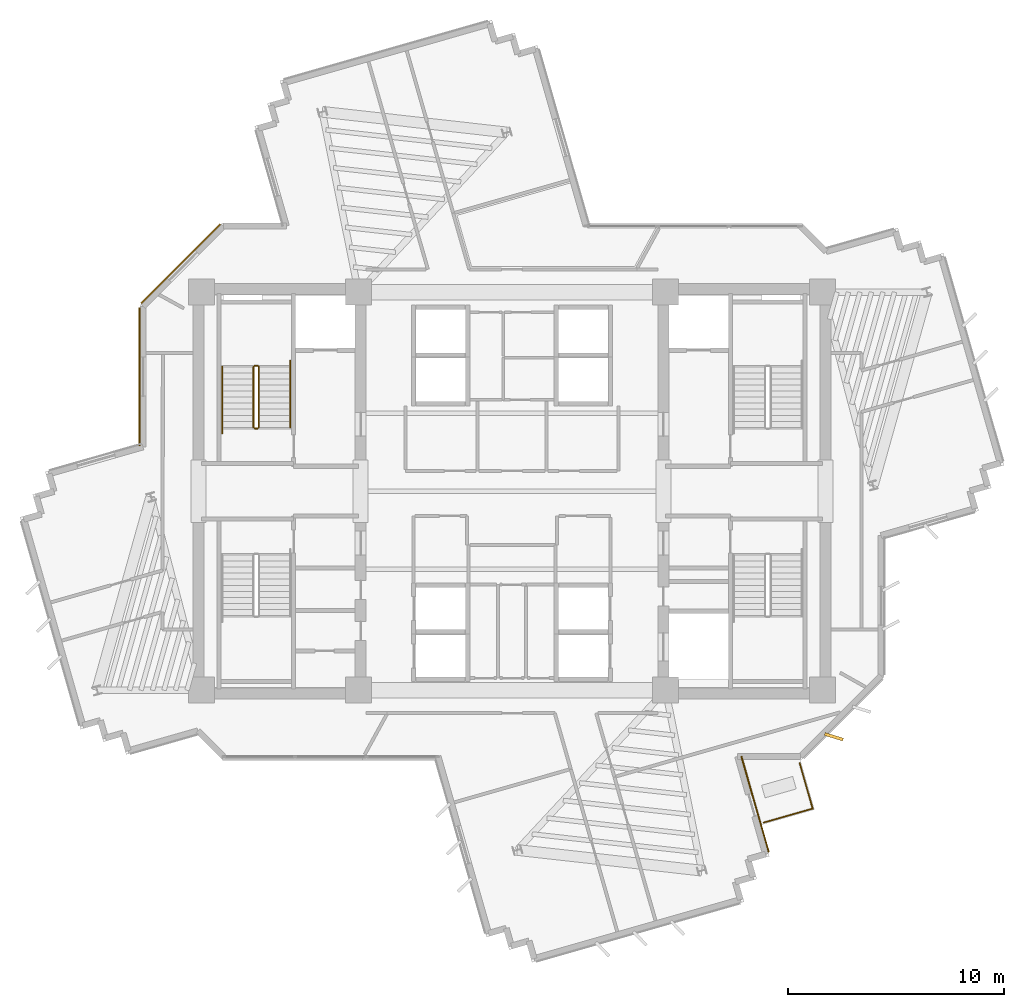
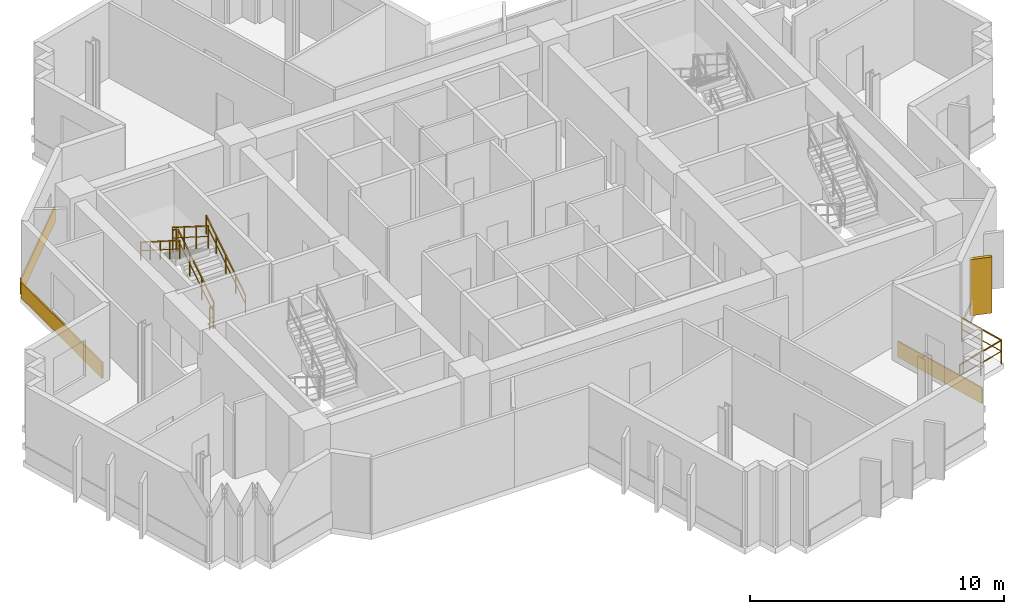
# One storey, part 12 of 14: 8 railings, 4 coverings.
"""IFC4 building model written with IfcOpenShell, lengths in metres."""

from ifc_helpers import new_model, si_unit, direction, frame, origin, origin_2d, place, context, subcontext, project, spatial, rectangle, extrude, source, transform, mapped, material, layer, layer_set, type_object, element, save


model = new_model("IFC4")

# Units and contexts
model_context = context("Model", 3, precision=1e-05, world=origin(), true_north=direction((0.0, 1.0)))
body_context = subcontext(model_context, "Body", "Model", "MODEL_VIEW")
ifc_project = project(units=[si_unit("LENGTHUNIT", "METRE"), si_unit("AREAUNIT", "SQUARE_METRE"), si_unit("VOLUMEUNIT", "CUBIC_METRE"), si_unit("PLANEANGLEUNIT", "RADIAN"), si_unit("MASSUNIT", "GRAM", prefix="KILO")], contexts=[model_context])

# Site, building, storey
site_placement = place(None, origin())
site = spatial("IfcSite", under=ifc_project, at=site_placement, CompositionType="ELEMENT")
building_placement = place(site_placement, origin())
building = spatial("IfcBuilding", under=site, at=building_placement, Name="Zahravan Cultural Tower", CompositionType="ELEMENT")
storey_placement = place(building_placement, frame((0.0, 0.0, 205.800048828125)))
storey = spatial("IfcBuildingStorey", under=building, at=storey_placement, Name="L48", CompositionType="ELEMENT", Elevation=205.800048828125)

# Railings
ifc_material_1 = material(Name="Steel ASTM A572 Grade 50", Category="steel")
railing_type_1 = type_object("IfcRailingType", Name="RL-BAL-1150", PredefinedType="BALUSTRADE", material=ifc_material_1)
railing_1_placement = place(storey_placement, frame((49.900634765625, 12.32666015625, 0.0)))
element("IfcRailing", 1, at=railing_1_placement, inside=storey, type_object=railing_type_1, Name="L48 Edge Balustrade GRD-TR-L48-SE-01", PredefinedType="BALUSTRADE", context=body_context, shape_type="SweptSolid", body=[
    extrude(rectangle(XDim=0.05, YDim=0.05, at=origin_2d()), frame((0.0, 0.0, 1.125), z_axis=(-0.9614494292, -0.274981808654, 0.0), x_axis=(0.274981808654, -0.9614494292, 0.0)), (0.0, 0.0, 1.0), 2.35009765625),
    extrude(rectangle(XDim=0.032, YDim=0.032, at=origin_2d()), frame((0.0, 0.0, 0.597900390625), z_axis=(-0.9614494292, -0.274981808654, 0.0), x_axis=(0.274981808654, -0.9614494292, 0.0)), (0.0, 0.0, 1.0), 2.35009765625),
    extrude(rectangle(XDim=0.04, YDim=0.04, at=origin_2d()), origin(), (0.0, 0.0, 1.0), 1.14990234375),
    extrude(rectangle(XDim=0.04, YDim=0.04, at=origin_2d()), frame((-1.1298828125, -0.3232421875, 0.0)), (0.0, 0.0, 1.0), 1.14990234375),
    extrude(rectangle(XDim=0.04, YDim=0.04, at=origin_2d()), frame((-2.259521484375, -0.646240234375, 0.0)), (0.0, 0.0, 1.0), 1.14990234375),
])
railing_2_placement = place(storey_placement, frame((49.3017578125, 14.419921875, 0.0)))
element("IfcRailing", 2, at=railing_2_placement, inside=storey, type_object=railing_type_1, Name="L48 Edge Balustrade GRD-TR-L48-SE-02", PredefinedType="BALUSTRADE", context=body_context, shape_type="SweptSolid", body=[
    extrude(rectangle(XDim=0.05, YDim=0.05, at=origin_2d()), frame((0.0, 0.0, 1.125), z_axis=(0.275061740463, -0.961426564504, 0.0), x_axis=(0.961426564504, 0.275061740463, 0.0)), (0.0, 0.0, 1.0), 2.17724609375),
    extrude(rectangle(XDim=0.032, YDim=0.032, at=origin_2d()), frame((0.0, 0.0, 0.597900390625), z_axis=(0.275061740463, -0.961426564504, 0.0), x_axis=(0.961426564504, 0.275061740463, 0.0)), (0.0, 0.0, 1.0), 2.17724609375),
    extrude(rectangle(XDim=0.04, YDim=0.04, at=origin_2d()), origin(), (0.0, 0.0, 1.0), 1.14990234375),
    extrude(rectangle(XDim=0.04, YDim=0.04, at=origin_2d()), frame((0.29931640625, -1.046630859375, 0.0)), (0.0, 0.0, 1.0), 1.14990234375),
    extrude(rectangle(XDim=0.04, YDim=0.04, at=origin_2d()), frame((0.598876953125, -2.09326171875, 0.0)), (0.0, 0.0, 1.0), 1.14990234375),
])
railing_type_2 = type_object("IfcRailingType", Name="RL-STAIR-GRD1150", PredefinedType="BALUSTRADE", material=ifc_material_1)
railing_3_placement = place(storey_placement, frame((24.300048828125, 29.949951171875, 0.17724609375)))
element("IfcRailing", 3, at=railing_3_placement, inside=storey, type_object=railing_type_2, Name="L48 ST-W1 stair guard 1", PredefinedType="BALUSTRADE", context=body_context, shape_type="SweptSolid", body=[
    extrude(rectangle(XDim=0.05, YDim=0.05, at=origin_2d()), frame((0.0, 0.0, 1.0751953125), z_axis=(0.0, 0.844908973607, 0.534910110503), x_axis=(-1.0, 0.0, 0.0)), (0.0, 0.0, 1.0), 3.31396484375),
    extrude(rectangle(XDim=0.032, YDim=0.032, at=origin_2d()), frame((0.0, 0.0, 0.572021484375), z_axis=(0.0, 0.844908973607, 0.534910110503), x_axis=(-1.0, 0.0, 0.0)), (0.0, 0.0, 1.0), 3.31396484375),
    extrude(rectangle(XDim=0.04, YDim=0.04, at=origin_2d()), origin(), (0.0, 0.0, 1.0), 1.10009765625),
    extrude(rectangle(XDim=0.04, YDim=0.04, at=origin_2d()), frame((0.0, 0.933349609375, 0.5908203125)), (0.0, 0.0, 1.0), 1.10009765625),
    extrude(rectangle(XDim=0.04, YDim=0.04, at=origin_2d()), frame((0.0, 1.86669921875, 1.181884765625)), (0.0, 0.0, 1.0), 1.10009765625),
    extrude(rectangle(XDim=0.04, YDim=0.04, at=origin_2d()), frame((0.0, 2.800048828125, 1.772705078125)), (0.0, 0.0, 1.0), 1.10009765625),
])
railing_4_placement = place(storey_placement, frame((24.25, 32.800048828125, 1.949951171875)))
element("IfcRailing", 4, at=railing_4_placement, inside=storey, type_object=railing_type_2, Name="L48 ST-W1 stair guard 2", PredefinedType="BALUSTRADE", context=body_context, shape_type="SweptSolid", body=[
    extrude(rectangle(XDim=0.05, YDim=0.05, at=origin_2d()), frame((0.0, 0.0, 1.0751953125), z_axis=(-1.0, 0.0, 0.0), x_axis=(0.0, -1.0, 0.0)), (0.0, 0.0, 1.0), 0.14990234375),
    extrude(rectangle(XDim=0.032, YDim=0.032, at=origin_2d()), frame((0.0, 0.0, 0.572021484375), z_axis=(-1.0, 0.0, 0.0), x_axis=(0.0, -1.0, 0.0)), (0.0, 0.0, 1.0), 0.14990234375),
    extrude(rectangle(XDim=0.04, YDim=0.04, at=origin_2d()), origin(), (0.0, 0.0, 1.0), 1.10009765625),
    extrude(rectangle(XDim=0.04, YDim=0.04, at=origin_2d()), frame((-0.14990234375, 0.0, 0.0)), (0.0, 0.0, 1.0), 1.10009765625),
])
railing_5_placement = place(storey_placement, frame((24.050048828125, 32.75, 2.127197265625)))
element("IfcRailing", 5, at=railing_5_placement, inside=storey, type_object=railing_type_2, Name="L48 ST-W1 stair guard 3", PredefinedType="BALUSTRADE", context=body_context, shape_type="SweptSolid", body=[
    extrude(rectangle(XDim=0.05, YDim=0.05, at=origin_2d()), frame((0.0, 0.0, 1.0751953125), z_axis=(0.0, -0.844908973607, 0.534910110503), x_axis=(1.0, 0.0, 0.0)), (0.0, 0.0, 1.0), 3.31396484375),
    extrude(rectangle(XDim=0.032, YDim=0.032, at=origin_2d()), frame((0.0, 0.0, 0.572021484375), z_axis=(0.0, -0.844908973607, 0.534910110503), x_axis=(1.0, 0.0, 0.0)), (0.0, 0.0, 1.0), 3.31396484375),
    extrude(rectangle(XDim=0.04, YDim=0.04, at=origin_2d()), origin(), (0.0, 0.0, 1.0), 1.10009765625),
    extrude(rectangle(XDim=0.04, YDim=0.04, at=origin_2d()), frame((0.0, -0.933349609375, 0.5908203125)), (0.0, 0.0, 1.0), 1.10009765625),
    extrude(rectangle(XDim=0.04, YDim=0.04, at=origin_2d()), frame((0.0, -1.86669921875, 1.181884765625)), (0.0, 0.0, 1.0), 1.10009765625),
    extrude(rectangle(XDim=0.04, YDim=0.04, at=origin_2d()), frame((0.0, -2.800048828125, 1.772705078125)), (0.0, 0.0, 1.0), 1.10009765625),
])
railing_6_placement = place(storey_placement, frame((24.25, 29.89990234375, 0.0)))
element("IfcRailing", 6, at=railing_6_placement, inside=storey, type_object=railing_type_2, Name="L48 ST-W1 stair guard 4", PredefinedType="BALUSTRADE", context=body_context, shape_type="SweptSolid", body=[
    extrude(rectangle(XDim=0.05, YDim=0.05, at=origin_2d()), frame((0.0, 0.0, 1.0751953125), z_axis=(-1.0, 0.0, 0.0), x_axis=(0.0, -1.0, 0.0)), (0.0, 0.0, 1.0), 0.14990234375),
    extrude(rectangle(XDim=0.032, YDim=0.032, at=origin_2d()), frame((0.0, 0.0, 0.572021484375), z_axis=(-1.0, 0.0, 0.0), x_axis=(0.0, -1.0, 0.0)), (0.0, 0.0, 1.0), 0.14990234375),
    extrude(rectangle(XDim=0.04, YDim=0.04, at=origin_2d()), origin(), (0.0, 0.0, 1.0), 1.10009765625),
    extrude(rectangle(XDim=0.04, YDim=0.04, at=origin_2d()), frame((-0.14990234375, 0.0, 0.0)), (0.0, 0.0, 1.0), 1.10009765625),
])
railing_type_3 = type_object("IfcRailingType", Name="RL-STAIR-HR900", PredefinedType="HANDRAIL", material=ifc_material_1)
railing_7_placement = place(storey_placement, frame((25.75, 29.949951171875, 0.17724609375)))
element("IfcRailing", 7, at=railing_7_placement, inside=storey, type_object=railing_type_3, Name="L48 ST-W1 stair handrail 1", PredefinedType="HANDRAIL", context=body_context, shape_type="SweptSolid", body=[
    extrude(rectangle(XDim=0.05, YDim=0.05, at=origin_2d()), frame((0.0, 0.0, 0.875), z_axis=(0.0, 0.844913916606, 0.534902302785), x_axis=(-1.0, 0.0, 0.0)), (0.0, 0.0, 1.0), 3.6455078125),
    extrude(rectangle(XDim=0.032, YDim=0.032, at=origin_2d()), frame((0.0, 0.0, 0.468017578125), z_axis=(0.0, 0.844913916606, 0.534902302785), x_axis=(-1.0, 0.0, 0.0)), (0.0, 0.0, 1.0), 3.6455078125),
    extrude(rectangle(XDim=0.04, YDim=0.04, at=origin_2d()), origin(), (0.0, 0.0, 1.0), 0.89990234375),
    extrude(rectangle(XDim=0.04, YDim=0.04, at=origin_2d()), frame((0.0, 0.77001953125, 0.487548828125)), (0.0, 0.0, 1.0), 0.89990234375),
    extrude(rectangle(XDim=0.04, YDim=0.04, at=origin_2d()), frame((0.0, 1.5400390625, 0.97509765625)), (0.0, 0.0, 1.0), 0.89990234375),
    extrude(rectangle(XDim=0.04, YDim=0.04, at=origin_2d()), frame((0.0, 2.31005859375, 1.46240234375)), (0.0, 0.0, 1.0), 0.89990234375),
    extrude(rectangle(XDim=0.04, YDim=0.04, at=origin_2d()), frame((0.0, 3.080078125, 1.949951171875)), (0.0, 0.0, 1.0), 0.89990234375),
])
railing_8_placement = place(storey_placement, frame((22.60009765625, 32.75, 2.127197265625)))
element("IfcRailing", 8, at=railing_8_placement, inside=storey, type_object=railing_type_3, Name="L48 ST-W1 stair handrail 2", PredefinedType="HANDRAIL", context=body_context, shape_type="SweptSolid", body=[
    extrude(rectangle(XDim=0.05, YDim=0.05, at=origin_2d()), frame((0.0, 0.0, 0.875), z_axis=(0.0, -0.844913916606, 0.534902302785), x_axis=(1.0, 0.0, 0.0)), (0.0, 0.0, 1.0), 3.6455078125),
    extrude(rectangle(XDim=0.032, YDim=0.032, at=origin_2d()), frame((0.0, 0.0, 0.468017578125), z_axis=(0.0, -0.844913916606, 0.534902302785), x_axis=(1.0, 0.0, 0.0)), (0.0, 0.0, 1.0), 3.6455078125),
    extrude(rectangle(XDim=0.04, YDim=0.04, at=origin_2d()), origin(), (0.0, 0.0, 1.0), 0.89990234375),
    extrude(rectangle(XDim=0.04, YDim=0.04, at=origin_2d()), frame((0.0, -0.77001953125, 0.487548828125)), (0.0, 0.0, 1.0), 0.89990234375),
    extrude(rectangle(XDim=0.04, YDim=0.04, at=origin_2d()), frame((0.0, -1.5400390625, 0.97509765625)), (0.0, 0.0, 1.0), 0.89990234375),
    extrude(rectangle(XDim=0.04, YDim=0.04, at=origin_2d()), frame((0.0, -2.31005859375, 1.46240234375)), (0.0, 0.0, 1.0), 0.89990234375),
    extrude(rectangle(XDim=0.04, YDim=0.04, at=origin_2d()), frame((0.0, -3.080078125, 1.949951171875)), (0.0, 0.0, 1.0), 0.89990234375),
])

# Coverings
ifc_material_2 = material(Name="Terracotta ceramic cladding", Category="masonry")
ifc_layer = layer(ifc_material_2, 0.06005859375)
ifc_layer_set = layer_set([ifc_layer], Name="Terracotta ceramic cladding")
covering_type = type_object("IfcCoveringType", Name="COV-CLAD-TC60", PredefinedType="CLADDING", material=ifc_layer_set)
shared_shape_1 = source(origin(), body_context, "Body", "SweptSolid", [
    extrude(rectangle(XDim=5.157958984375, YDim=0.06005859375, at=origin_2d()), origin(), (0.0, 0.0, 1.0), 0.760009765625),
])
covering_1_placement = place(storey_placement, frame((20.682373046875, 37.517578125, 0.02001953125), z_axis=(0.0, 0.0, 1.0), x_axis=(0.707106781187, 0.707106781187, 0.0)))
element("IfcCovering", 9, at=covering_1_placement, inside=storey, type_object=covering_type, Name="L48 Terracotta Spandrel Cladding 39", PredefinedType="CLADDING", context=body_context, shape_type="MappedRepresentation", body=[
    mapped(shared_shape_1, transform((0.0, 0.0, 0.0), x_axis=(1.0, 0.0, 0.0), y_axis=(0.0, 1.0, 0.0), z_axis=(0.0, 0.0, 1.0), scale=1.0)),
])
shared_shape_2 = source(origin(), body_context, "Body", "SweptSolid", [
    extrude(rectangle(XDim=0.8798828125, YDim=0.139892578125, at=origin_2d()), origin(), (0.0, 0.0, 1.0), 2.699951171875),
])
covering_2_placement = place(storey_placement, frame((50.8828125, 15.644287109375, 0.0498046875), z_axis=(0.0, 0.0, 1.0), x_axis=(0.956304755963, -0.292371704723, 0.0)))
element("IfcCovering", 10, at=covering_2_placement, inside=storey, type_object=covering_type, Name="L48 Herringbone Terracotta Fin 08", PredefinedType="CLADDING", context=body_context, shape_type="MappedRepresentation", body=[
    mapped(shared_shape_2, transform((0.0, 0.0, 0.0), x_axis=(1.0, 0.0, 0.0), y_axis=(0.0, 1.0, 0.0), z_axis=(0.0, 0.0, 1.0), scale=1.0)),
])
shared_shape_3 = source(origin(), body_context, "Body", "SweptSolid", [
    extrude(rectangle(XDim=6.39404296875, YDim=0.06005859375, at=origin_2d()), origin(), (0.0, 0.0, 1.0), 0.760009765625),
])
covering_3_placement = place(storey_placement, frame((18.77490234375, 32.294921875, 0.02001953125), z_axis=(0.0, 0.0, 1.0), x_axis=(0.0, 1.0, 0.0)))
element("IfcCovering", 11, at=covering_3_placement, inside=storey, type_object=covering_type, Name="L48 Terracotta Spandrel Cladding 38", PredefinedType="CLADDING", context=body_context, shape_type="MappedRepresentation", body=[
    mapped(shared_shape_3, transform((0.0, 0.0, 0.0), x_axis=(1.0, 0.0, 0.0), y_axis=(0.0, 1.0, 0.0), z_axis=(0.0, 0.0, 1.0), scale=1.0)),
])
shared_shape_4 = source(origin(), body_context, "Body", "SweptSolid", [
    extrude(rectangle(XDim=4.603759765625, YDim=0.06005859375, at=origin_2d()), origin(), (0.0, 0.0, 1.0), 0.760009765625),
])
covering_4_placement = place(storey_placement, frame((47.238525390625, 12.524169921875, 0.02001953125), z_axis=(0.0, 0.0, 1.0), x_axis=(0.274966201438, -0.961453892845, 0.0)))
element("IfcCovering", 12, at=covering_4_placement, inside=storey, type_object=covering_type, Name="L48 Terracotta Spandrel Cladding 15", PredefinedType="CLADDING", context=body_context, shape_type="MappedRepresentation", body=[
    mapped(shared_shape_4, transform((0.0, 0.0, 0.0), x_axis=(1.0, 0.0, 0.0), y_axis=(0.0, 1.0, 0.0), z_axis=(0.0, 0.0, 1.0), scale=1.0)),
])

save(model, "model.ifc")
